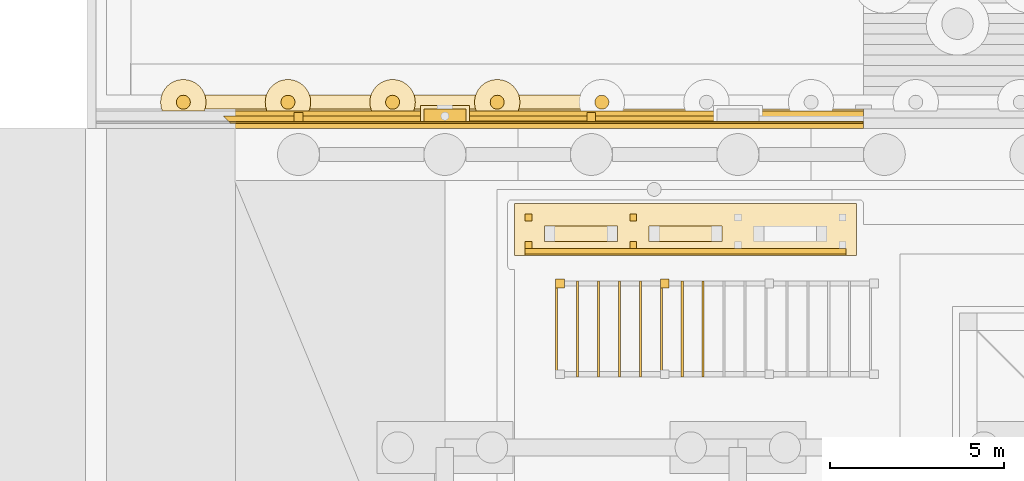
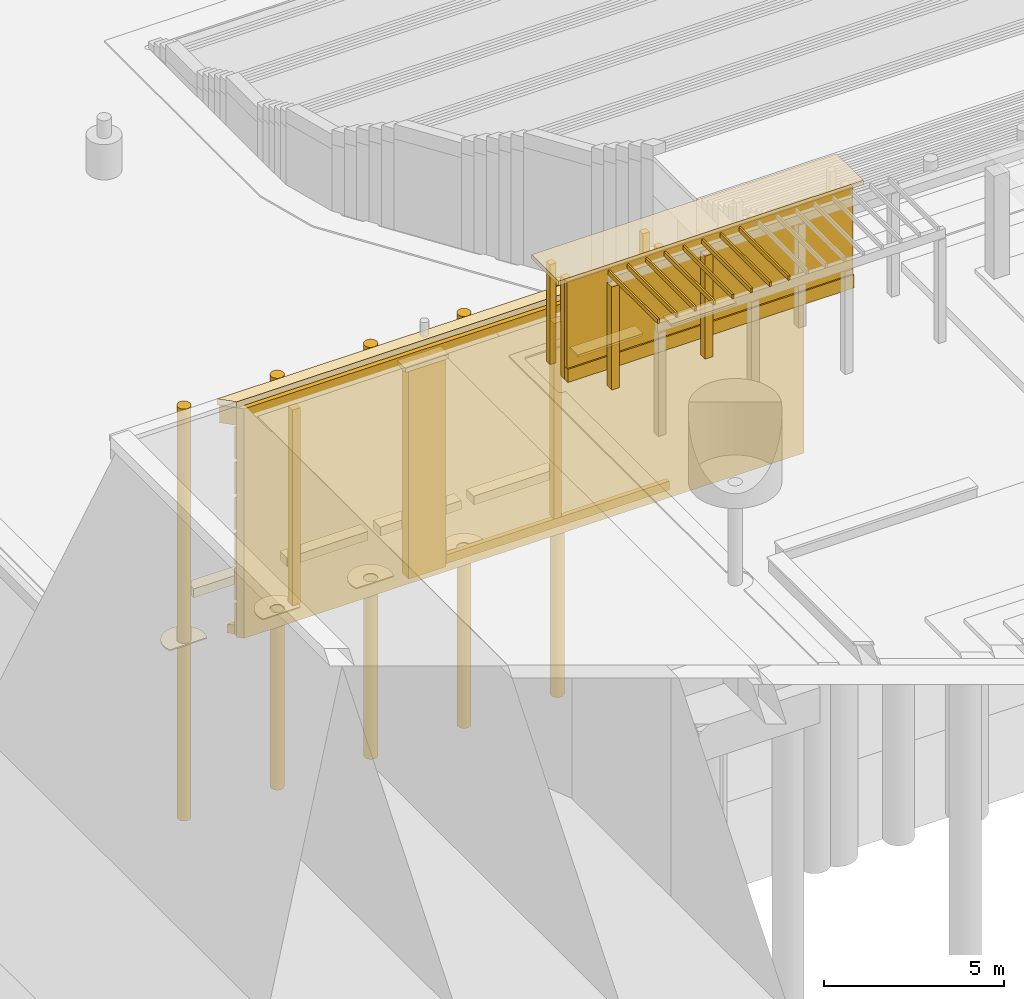
# One storey, part 174 of 222: 47 coverings.
"""IFC4 building model written with IfcOpenShell, lengths in metres."""

from ifc_helpers import new_model, si_unit, direction, frame, origin, origin_2d, place, context, subcontext, project, spatial, polyline, circle, outline, extrude, material, layer, layer_set, type_object, element, save


model = new_model("IFC4")

# Units and contexts
model_context = context("Model", 3, precision=1e-05, world=origin(), true_north=direction((0.0, 1.0)))
body_context = subcontext(model_context, "Body", "Model", "MODEL_VIEW")
ifc_project = project(units=[si_unit("LENGTHUNIT", "METRE"), si_unit("AREAUNIT", "SQUARE_METRE"), si_unit("VOLUMEUNIT", "CUBIC_METRE"), si_unit("PLANEANGLEUNIT", "RADIAN"), si_unit("MASSUNIT", "GRAM", prefix="KILO")], contexts=[model_context])

# Site, building, storey
site_placement = place(None, origin())
site = spatial("IfcSite", under=ifc_project, at=site_placement, CompositionType="ELEMENT")
building_placement = place(site_placement, origin())
building = spatial("IfcBuilding", under=site, at=building_placement, Name="Sava Quay Ferry Terminal", CompositionType="ELEMENT")
storey_placement = place(building_placement, origin())
storey = spatial("IfcBuildingStorey", under=building, at=storey_placement, Name="L00", CompositionType="ELEMENT", Elevation=0.0)

# Coverings
ifc_material_1 = material(Name="Glulam GL28h", Category="wood")
ifc_layer_1 = layer(ifc_material_1, 0.449951171875)
ifc_layer_set_1 = layer_set([ifc_layer_1], Name="Glulam GL28h")
covering_type_1 = type_object("IfcCoveringType", Name="Bench seat 450", PredefinedType="CLADDING", material=ifc_layer_set_1)
covering_1_placement = place(storey_placement, frame((0.0, 0.0, 0.419921875)))
element("IfcCovering", 1, at=covering_1_placement, inside=storey, type_object=covering_type_1, Name="Bench seat", PredefinedType="CLADDING", context=body_context, shape_type="SweptSolid", body=[
    extrude(outline(polyline([(4.949951171875, 115.10009765625), (4.949951171875, 115.550048828125), (2.85009765625, 115.550048828125), (2.85009765625, 115.10009765625), (4.949951171875, 115.10009765625)])), origin(), (0.0, 0.0, 1.0), 0.080078125),
])
covering_2_placement = place(storey_placement, frame((0.0, 0.0, 0.419921875)))
element("IfcCovering", 2, at=covering_2_placement, inside=storey, type_object=covering_type_1, Name="Bench seat", PredefinedType="CLADDING", context=body_context, shape_type="SweptSolid", body=[
    extrude(outline(polyline([(7.949951171875, 115.10009765625), (7.949951171875, 115.550048828125), (5.85009765625, 115.550048828125), (5.85009765625, 115.10009765625), (7.949951171875, 115.10009765625)])), origin(), (0.0, 0.0, 1.0), 0.080078125),
])
ifc_material_2 = material(Name="Greenheart timber", Category="wood")
ifc_layer_2 = layer(ifc_material_2, 0.25)
ifc_layer_set_2 = layer_set([ifc_layer_2], Name="Greenheart timber")
covering_type_2 = type_object("IfcCoveringType", Name="Fender post 250", PredefinedType="CLADDING", material=ifc_layer_set_2)
covering_3_placement = place(storey_placement, frame((0.0, 0.0, -7.60009765625)))
element("IfcCovering", 3, at=covering_3_placement, inside=storey, type_object=covering_type_2, Name="Fender post", PredefinedType="CLADDING", context=body_context, shape_type="SweptSolid", body=[
    extrude(outline(polyline([(-4.074951171875, 118.550048828125), (-4.074951171875, 118.800048828125), (-4.324951171875, 118.800048828125), (-4.324951171875, 118.550048828125), (-4.074951171875, 118.550048828125)])), origin(), (0.0, 0.0, 1.0), 6.650146484375),
])
covering_4_placement = place(storey_placement, frame((0.0, 0.0, -7.60009765625)))
element("IfcCovering", 4, at=covering_4_placement, inside=storey, type_object=covering_type_2, Name="Fender post", PredefinedType="CLADDING", context=body_context, shape_type="SweptSolid", body=[
    extrude(outline(polyline([(4.324951171875, 118.550048828125), (4.324951171875, 118.800048828125), (4.074951171875, 118.800048828125), (4.074951171875, 118.550048828125), (4.324951171875, 118.550048828125)])), origin(), (0.0, 0.0, 1.0), 6.650146484375),
])
ifc_material_3 = material(Name="Greenheart timber", Category="wood")
ifc_layer_3 = layer(ifc_material_3, 0.14990234375)
ifc_layer_set_3 = layer_set([ifc_layer_3], Name="Greenheart timber")
covering_type_3 = type_object("IfcCoveringType", Name="Fender rubbing strip 150", PredefinedType="CLADDING", material=ifc_layer_set_3)
covering_5_placement = place(storey_placement, frame((0.0, 0.0, -7.89990234375)))
element("IfcCovering", 5, at=covering_5_placement, inside=storey, type_object=covering_type_3, Name="Fender rubbing strip", PredefinedType="CLADDING", context=body_context, shape_type="SweptSolid", body=[
    extrude(outline(polyline([(0.610107421875, 118.550048828125), (7.7900390625, 118.550048828125), (7.7900390625, 118.699951171875), (0.610107421875, 118.699951171875), (0.610107421875, 118.550048828125)])), origin(), (0.0, 0.0, 1.0), 0.2998046875),
])
covering_6_placement = place(storey_placement, frame((0.0, 0.0, -7.89990234375)))
element("IfcCovering", 6, at=covering_6_placement, inside=storey, type_object=covering_type_3, Name="Fender rubbing strip", PredefinedType="CLADDING", context=body_context, shape_type="SweptSolid", body=[
    extrude(outline(polyline([(-6.199951171875, 118.550048828125), (-0.610107421875, 118.550048828125), (-0.610107421875, 118.699951171875), (-6.35009765625, 118.699951171875), (-6.199951171875, 118.550048828125)])), origin(), (0.0, 0.0, 1.0), 0.2998046875),
])
ifc_material_4 = material(Name="Steel S355", Category="steel")
ifc_layer_4 = layer(ifc_material_4, 0.25)
ifc_layer_set_4 = layer_set([ifc_layer_4], Name="Steel S355")
covering_type_4 = type_object("IfcCoveringType", Name="Promenade pergola post 250", PredefinedType="CLADDING", material=ifc_layer_set_4)
covering_7_placement = place(storey_placement, origin())
element("IfcCovering", 7, at=covering_7_placement, inside=storey, type_object=covering_type_4, Name="Promenade pergola post", PredefinedType="CLADDING", context=body_context, shape_type="SweptSolid", body=[
    extrude(outline(polyline([(3.425048828125, 113.77490234375), (3.425048828125, 114.02490234375), (3.175048828125, 114.02490234375), (3.175048828125, 113.77490234375), (3.425048828125, 113.77490234375)])), origin(), (0.0, 0.0, 1.0), 3.5),
])
covering_8_placement = place(storey_placement, origin())
element("IfcCovering", 8, at=covering_8_placement, inside=storey, type_object=covering_type_4, Name="Promenade pergola post", PredefinedType="CLADDING", context=body_context, shape_type="SweptSolid", body=[
    extrude(outline(polyline([(6.425048828125, 113.77490234375), (6.425048828125, 114.02490234375), (6.175048828125, 114.02490234375), (6.175048828125, 113.77490234375), (6.425048828125, 113.77490234375)])), origin(), (0.0, 0.0, 1.0), 3.5),
])
ifc_material_5 = material(Name="Glulam GL28h", Category="wood")
ifc_layer_5 = layer(ifc_material_5, 0.06005859375)
ifc_layer_set_5 = layer_set([ifc_layer_5], Name="Glulam GL28h")
covering_type_5 = type_object("IfcCoveringType", Name="Promenade pergola rafter 60x150", PredefinedType="CLADDING", material=ifc_layer_set_5)
covering_9_placement = place(storey_placement, frame((0.0, 0.0, 3.800048828125)))
element("IfcCovering", 9, at=covering_9_placement, inside=storey, type_object=covering_type_5, Name="Promenade pergola rafter", PredefinedType="CLADDING", context=body_context, shape_type="SweptSolid", body=[
    extrude(outline(polyline([(3.235107421875, 111.22509765625), (3.235107421875, 113.97509765625), (3.175048828125, 113.97509765625), (3.175048828125, 111.22509765625), (3.235107421875, 111.22509765625)])), origin(), (0.0, 0.0, 1.0), 0.14990234375),
])
covering_10_placement = place(storey_placement, frame((0.0, 0.0, 3.800048828125)))
element("IfcCovering", 10, at=covering_10_placement, inside=storey, type_object=covering_type_5, Name="Promenade pergola rafter", PredefinedType="CLADDING", context=body_context, shape_type="SweptSolid", body=[
    extrude(outline(polyline([(3.8349609375, 111.22509765625), (3.8349609375, 113.97509765625), (3.77490234375, 113.97509765625), (3.77490234375, 111.22509765625), (3.8349609375, 111.22509765625)])), origin(), (0.0, 0.0, 1.0), 0.14990234375),
])
covering_11_placement = place(storey_placement, frame((0.0, 0.0, 3.800048828125)))
element("IfcCovering", 11, at=covering_11_placement, inside=storey, type_object=covering_type_5, Name="Promenade pergola rafter", PredefinedType="CLADDING", context=body_context, shape_type="SweptSolid", body=[
    extrude(outline(polyline([(4.43505859375, 111.22509765625), (4.43505859375, 113.97509765625), (4.375, 113.97509765625), (4.375, 111.22509765625), (4.43505859375, 111.22509765625)])), origin(), (0.0, 0.0, 1.0), 0.14990234375),
])
covering_12_placement = place(storey_placement, frame((0.0, 0.0, 3.800048828125)))
element("IfcCovering", 12, at=covering_12_placement, inside=storey, type_object=covering_type_5, Name="Promenade pergola rafter", PredefinedType="CLADDING", context=body_context, shape_type="SweptSolid", body=[
    extrude(outline(polyline([(5.034912109375, 111.22509765625), (5.034912109375, 113.97509765625), (4.97509765625, 113.97509765625), (4.97509765625, 111.22509765625), (5.034912109375, 111.22509765625)])), origin(), (0.0, 0.0, 1.0), 0.14990234375),
])
covering_13_placement = place(storey_placement, frame((0.0, 0.0, 3.800048828125)))
element("IfcCovering", 13, at=covering_13_placement, inside=storey, type_object=covering_type_5, Name="Promenade pergola rafter", PredefinedType="CLADDING", context=body_context, shape_type="SweptSolid", body=[
    extrude(outline(polyline([(5.635009765625, 111.22509765625), (5.635009765625, 113.97509765625), (5.574951171875, 113.97509765625), (5.574951171875, 111.22509765625), (5.635009765625, 111.22509765625)])), origin(), (0.0, 0.0, 1.0), 0.14990234375),
])
covering_14_placement = place(storey_placement, frame((0.0, 0.0, 3.800048828125)))
element("IfcCovering", 14, at=covering_14_placement, inside=storey, type_object=covering_type_5, Name="Promenade pergola rafter", PredefinedType="CLADDING", context=body_context, shape_type="SweptSolid", body=[
    extrude(outline(polyline([(6.235107421875, 111.22509765625), (6.235107421875, 113.97509765625), (6.175048828125, 113.97509765625), (6.175048828125, 111.22509765625), (6.235107421875, 111.22509765625)])), origin(), (0.0, 0.0, 1.0), 0.14990234375),
])
covering_15_placement = place(storey_placement, frame((0.0, 0.0, 3.800048828125)))
element("IfcCovering", 15, at=covering_15_placement, inside=storey, type_object=covering_type_5, Name="Promenade pergola rafter", PredefinedType="CLADDING", context=body_context, shape_type="SweptSolid", body=[
    extrude(outline(polyline([(6.8349609375, 111.22509765625), (6.8349609375, 113.97509765625), (6.77490234375, 113.97509765625), (6.77490234375, 111.22509765625), (6.8349609375, 111.22509765625)])), origin(), (0.0, 0.0, 1.0), 0.14990234375),
])
covering_16_placement = place(storey_placement, frame((0.0, 0.0, 3.800048828125)))
element("IfcCovering", 16, at=covering_16_placement, inside=storey, type_object=covering_type_5, Name="Promenade pergola rafter", PredefinedType="CLADDING", context=body_context, shape_type="SweptSolid", body=[
    extrude(outline(polyline([(7.43505859375, 111.22509765625), (7.43505859375, 113.97509765625), (7.375, 113.97509765625), (7.375, 111.22509765625), (7.43505859375, 111.22509765625)])), origin(), (0.0, 0.0, 1.0), 0.14990234375),
])
ifc_material_6 = material(Name="Timber", Category="wood")
ifc_layer_6 = layer(ifc_material_6, 0.39990234375)
ifc_layer_set_6 = layer_set([ifc_layer_6], Name="Timber")
covering_type_6 = type_object("IfcCoveringType", Name="Quay fender pile 400", PredefinedType="CLADDING", material=ifc_layer_set_6)
for number, where, z_axis, x_axis, name in (
    (17, (-7.5, 119.10009765625, 0.0), (0.0, 0.0, -1.0), (1.0, 0.0, 0.0), "Quay fender pile"),
    (18, (-4.5, 119.10009765625, 0.0), (0.0, 0.0, -1.0), (1.0, 0.0, 0.0), "Quay fender pile"),
    (19, (-1.5, 119.10009765625, 0.0), (0.0, 0.0, -1.0), (1.0, 0.0, 0.0), "Quay fender pile"),
    (20, (1.5, 119.10009765625, 0.0), (0.0, 0.0, -1.0), (1.0, 0.0, 0.0), "Quay fender pile"),
    (21, (4.5, 119.10009765625, 0.0), (0.0, 0.0, -1.0), (1.0, 0.0, 0.0), "Quay fender pile"),
):
    element("IfcCovering", number, at=place(storey_placement, frame(where, z_axis=z_axis, x_axis=x_axis)), inside=storey, type_object=covering_type_6, Name=name, PredefinedType="CLADDING", context=body_context, shape_type="SweptSolid", body=[
        extrude(circle(Radius=0.199951171875, at=origin_2d()), origin(), (0.0, 0.0, 1.0), 14.0),
    ])
ifc_material_7 = material(Name="Timber", Category="wood")
ifc_layer_7 = layer(ifc_material_7, 0.39990234375)
ifc_layer_set_7 = layer_set([ifc_layer_7], Name="Timber")
covering_type_7 = type_object("IfcCoveringType", Name="Quay fender waling", PredefinedType="MOLDING", material=ifc_layer_set_7)
covering_17_placement = place(storey_placement, frame((0.0, 0.0, -6.5)))
element("IfcCovering", 22, at=covering_17_placement, inside=storey, type_object=covering_type_7, Name="Quay fender waling", PredefinedType="MOLDING", context=body_context, shape_type="SweptSolid", body=[
    extrude(outline(polyline([(-4.699951171875, 118.89990234375), (-4.699951171875, 119.300048828125), (-7.300048828125, 119.300048828125), (-7.300048828125, 118.89990234375), (-4.699951171875, 118.89990234375)])), origin(), (0.0, 0.0, 1.0), 0.300048828125),
])
covering_18_placement = place(storey_placement, frame((0.0, 0.0, -6.5)))
element("IfcCovering", 23, at=covering_18_placement, inside=storey, type_object=covering_type_7, Name="Quay fender waling", PredefinedType="MOLDING", context=body_context, shape_type="SweptSolid", body=[
    extrude(outline(polyline([(-1.699951171875, 118.89990234375), (-1.699951171875, 119.300048828125), (-4.300048828125, 119.300048828125), (-4.300048828125, 118.89990234375), (-1.699951171875, 118.89990234375)])), origin(), (0.0, 0.0, 1.0), 0.300048828125),
])
covering_19_placement = place(storey_placement, frame((0.0, 0.0, -6.5)))
element("IfcCovering", 24, at=covering_19_placement, inside=storey, type_object=covering_type_7, Name="Quay fender waling", PredefinedType="MOLDING", context=body_context, shape_type="SweptSolid", body=[
    extrude(outline(polyline([(1.300048828125, 118.89990234375), (1.300048828125, 119.300048828125), (-1.300048828125, 119.300048828125), (-1.300048828125, 118.89990234375), (1.300048828125, 118.89990234375)])), origin(), (0.0, 0.0, 1.0), 0.300048828125),
])
covering_20_placement = place(storey_placement, frame((0.0, 0.0, -6.5)))
element("IfcCovering", 25, at=covering_20_placement, inside=storey, type_object=covering_type_7, Name="Quay fender waling", PredefinedType="MOLDING", context=body_context, shape_type="SweptSolid", body=[
    extrude(outline(polyline([(4.300048828125, 118.89990234375), (4.300048828125, 119.300048828125), (1.699951171875, 119.300048828125), (1.699951171875, 118.89990234375), (4.300048828125, 118.89990234375)])), origin(), (0.0, 0.0, 1.0), 0.300048828125),
])
ifc_material_8 = material(Name="Limestone Mutalj", Category="masonry")
ifc_layer_8 = layer(ifc_material_8, 0.449951171875)
ifc_layer_set_8 = layer_set([ifc_layer_8], Name="Limestone Mutalj")
covering_type_8 = type_object("IfcCoveringType", Name="Quay pilaster cap 1400", PredefinedType="MOLDING", material=ifc_layer_set_8)
covering_21_placement = place(storey_placement, frame((0.0, 0.0, -0.949951171875)))
element("IfcCovering", 26, at=covering_21_placement, inside=storey, type_object=covering_type_8, Name="Quay pilaster cap", PredefinedType="MOLDING", context=body_context, shape_type="SweptSolid", body=[
    extrude(outline(polyline([(0.699951171875, 118.550048828125), (0.699951171875, 119.0), (-0.699951171875, 119.0), (-0.699951171875, 118.550048828125), (0.699951171875, 118.550048828125)])), origin(), (0.0, 0.0, 1.0), 0.14990234375),
])
ifc_material_9 = material(Name="Limestone Mutalj", Category="masonry")
ifc_layer_9 = layer(ifc_material_9, 0.39990234375)
ifc_layer_set_9 = layer_set([ifc_layer_9], Name="Limestone Mutalj")
covering_type_9 = type_object("IfcCoveringType", Name="Quay wall coping 400", PredefinedType="MOLDING", material=ifc_layer_set_9)
covering_22_placement = place(storey_placement, frame((0.0, 0.0, -0.199951171875)))
element("IfcCovering", 27, at=covering_22_placement, inside=storey, type_object=covering_type_9, Name="Quay wall coping", PredefinedType="MOLDING", context=body_context, shape_type="SweptSolid", body=[
    extrude(outline(polyline([(12.0, 118.89990234375), (-6.550048828125, 118.89990234375), (-6.14990234375, 118.5), (12.0, 118.5), (12.0, 118.89990234375)])), origin(), (0.0, 0.0, 1.0), 0.199951171875),
])
ifc_material_10 = material(Name="Limestone Mutalj", Category="masonry")
ifc_layer_10 = layer(ifc_material_10, 0.35009765625)
ifc_layer_set_10 = layer_set([ifc_layer_10], Name="Limestone Mutalj")
covering_type_10 = type_object("IfcCoveringType", Name="Quay wall cornice 350", PredefinedType="MOLDING", material=ifc_layer_set_10)
covering_23_placement = place(storey_placement, frame((0.0, 0.0, -0.800048828125)))
element("IfcCovering", 28, at=covering_23_placement, inside=storey, type_object=covering_type_10, Name="Quay wall cornice", PredefinedType="MOLDING", context=body_context, shape_type="SweptSolid", body=[
    extrude(outline(polyline([(12.0, 118.85009765625), (-6.5, 118.85009765625), (-6.14990234375, 118.5), (12.0, 118.5), (12.0, 118.85009765625)])), origin(), (0.0, 0.0, 1.0), 0.60009765625),
])
ifc_material_11 = material(Name="Limestone Mutalj", Category="masonry")
ifc_layer_11 = layer(ifc_material_11, 0.14990234375)
ifc_layer_set_11 = layer_set([ifc_layer_11], Name="Limestone Mutalj")
covering_type_11 = type_object("IfcCoveringType", Name="Quay wall facing 150", PredefinedType="CLADDING", material=ifc_layer_set_11)
covering_24_placement = place(storey_placement, frame((0.0, 0.0, -8.0)))
element("IfcCovering", 29, at=covering_24_placement, inside=storey, type_object=covering_type_11, Name="Quay wall facing", PredefinedType="CLADDING", context=body_context, shape_type="SweptSolid", body=[
    extrude(outline(polyline([(-6.14990234375, 118.5), (-6.0, 118.35009765625), (12.0, 118.35009765625), (12.0, 118.5), (-6.14990234375, 118.5)])), origin(), (0.0, 0.0, 1.0), 7.800048828125),
])
ifc_material_12 = material(Name="Limestone Mutalj", Category="masonry")
ifc_layer_12 = layer(ifc_material_12, 0.35009765625)
ifc_layer_set_12 = layer_set([ifc_layer_12], Name="Limestone Mutalj")
covering_type_12 = type_object("IfcCoveringType", Name="Quay wall pilaster 1200", PredefinedType="CLADDING", material=ifc_layer_set_12)
covering_25_placement = place(storey_placement, frame((0.0, 0.0, -8.0)))
element("IfcCovering", 30, at=covering_25_placement, inside=storey, type_object=covering_type_12, Name="Quay wall pilaster", PredefinedType="CLADDING", context=body_context, shape_type="SweptSolid", body=[
    extrude(outline(polyline([(0.60009765625, 118.550048828125), (0.60009765625, 118.89990234375), (-0.60009765625, 118.89990234375), (-0.60009765625, 118.550048828125), (0.60009765625, 118.550048828125)])), origin(), (0.0, 0.0, 1.0), 7.050048828125),
])
ifc_material_13 = material(Name="Water")
ifc_layer_13 = layer(ifc_material_13, 0.0400390625)
ifc_layer_set_13 = layer_set([ifc_layer_13], Name="Water")
covering_type_13 = type_object("IfcCoveringType", Name="River foam collar", PredefinedType="CLADDING", material=ifc_layer_set_13)
covering_26_placement = place(storey_placement, frame((0.0, 0.0, -8.0)))
element("IfcCovering", 31, at=covering_26_placement, inside=storey, type_object=covering_type_13, Name="River foam collar", PredefinedType="CLADDING", context=body_context, shape_type="SweptSolid", body=[
    extrude(outline(polyline([(-6.847900390625, 119.10009765625), (-6.860107421875, 119.22705078125), (-6.89697265625, 119.35009765625), (-6.9580078125, 119.4619140625), (-7.0390625, 119.56103515625), (-7.137939453125, 119.64208984375), (-7.25, 119.702880859375), (-7.373046875, 119.739990234375), (-7.5, 119.751953125), (-7.626953125, 119.739990234375), (-7.75, 119.702880859375), (-7.862060546875, 119.64208984375), (-7.9609375, 119.56103515625), (-8.0419921875, 119.4619140625), (-8.10302734375, 119.35009765625), (-8.139892578125, 119.22705078125), (-8.152099609375, 119.10009765625), (-8.139892578125, 118.972900390625), (-8.10205078125, 118.85009765625), (-6.89794921875, 118.85009765625), (-6.860107421875, 118.972900390625), (-6.847900390625, 119.10009765625)]), holes=[polyline([(-7.35888671875, 118.958984375), (-7.388916015625, 118.93408203125), (-7.423095703125, 118.9150390625), (-7.4609375, 118.904052734375), (-7.5, 118.89990234375), (-7.5390625, 118.904052734375), (-7.576904296875, 118.9150390625), (-7.611083984375, 118.93408203125), (-7.64111328125, 118.958984375), (-7.666015625, 118.989013671875), (-7.68505859375, 119.02294921875), (-7.696044921875, 119.06103515625), (-7.699951171875, 119.10009765625), (-7.696044921875, 119.138916015625), (-7.68505859375, 119.177001953125), (-7.666015625, 119.2109375), (-7.64111328125, 119.240966796875), (-7.611083984375, 119.26611328125), (-7.576904296875, 119.284912109375), (-7.5390625, 119.2958984375), (-7.5, 119.300048828125), (-7.4609375, 119.2958984375), (-7.423095703125, 119.284912109375), (-7.388916015625, 119.26611328125), (-7.35888671875, 119.240966796875), (-7.333984375, 119.2109375), (-7.31494140625, 119.177001953125), (-7.303955078125, 119.138916015625), (-7.300048828125, 119.10009765625), (-7.303955078125, 119.06103515625), (-7.31494140625, 119.02294921875), (-7.333984375, 118.989013671875), (-7.35888671875, 118.958984375)])]), origin(), (0.0, 0.0, 1.0), 0.0400390625),
])
covering_27_placement = place(storey_placement, frame((0.0, 0.0, -8.0)))
element("IfcCovering", 32, at=covering_27_placement, inside=storey, type_object=covering_type_13, Name="River foam collar", PredefinedType="CLADDING", context=body_context, shape_type="SweptSolid", body=[
    extrude(outline(polyline([(-3.860107421875, 118.972900390625), (-3.847900390625, 119.10009765625), (-3.860107421875, 119.22705078125), (-3.89697265625, 119.35009765625), (-3.9580078125, 119.4619140625), (-4.0390625, 119.56103515625), (-4.137939453125, 119.64208984375), (-4.25, 119.702880859375), (-4.373046875, 119.739990234375), (-4.5, 119.751953125), (-4.626953125, 119.739990234375), (-4.75, 119.702880859375), (-4.862060546875, 119.64208984375), (-4.9609375, 119.56103515625), (-5.0419921875, 119.4619140625), (-5.10302734375, 119.35009765625), (-5.139892578125, 119.22705078125), (-5.152099609375, 119.10009765625), (-5.139892578125, 118.972900390625), (-5.10205078125, 118.85009765625), (-3.89794921875, 118.85009765625), (-3.860107421875, 118.972900390625)]), holes=[polyline([(-4.333984375, 118.989013671875), (-4.35888671875, 118.958984375), (-4.388916015625, 118.93408203125), (-4.423095703125, 118.9150390625), (-4.4609375, 118.904052734375), (-4.5, 118.89990234375), (-4.5390625, 118.904052734375), (-4.576904296875, 118.9150390625), (-4.611083984375, 118.93408203125), (-4.64111328125, 118.958984375), (-4.666015625, 118.989013671875), (-4.68505859375, 119.02294921875), (-4.696044921875, 119.06103515625), (-4.699951171875, 119.10009765625), (-4.696044921875, 119.138916015625), (-4.68505859375, 119.177001953125), (-4.666015625, 119.2109375), (-4.64111328125, 119.240966796875), (-4.611083984375, 119.26611328125), (-4.576904296875, 119.284912109375), (-4.5390625, 119.2958984375), (-4.5, 119.300048828125), (-4.4609375, 119.2958984375), (-4.423095703125, 119.284912109375), (-4.388916015625, 119.26611328125), (-4.35888671875, 119.240966796875), (-4.333984375, 119.2109375), (-4.31494140625, 119.177001953125), (-4.303955078125, 119.138916015625), (-4.300048828125, 119.10009765625), (-4.303955078125, 119.06103515625), (-4.31494140625, 119.02294921875), (-4.333984375, 118.989013671875)])]), origin(), (0.0, 0.0, 1.0), 0.0400390625),
])
covering_28_placement = place(storey_placement, frame((0.0, 0.0, -8.0)))
element("IfcCovering", 33, at=covering_28_placement, inside=storey, type_object=covering_type_13, Name="River foam collar", PredefinedType="CLADDING", context=body_context, shape_type="SweptSolid", body=[
    extrude(outline(polyline([(-0.89697265625, 118.85009765625), (-0.860107421875, 118.972900390625), (-0.847900390625, 119.10009765625), (-0.860107421875, 119.22705078125), (-0.89697265625, 119.35009765625), (-0.9580078125, 119.4619140625), (-1.0390625, 119.56103515625), (-1.137939453125, 119.64208984375), (-1.25, 119.702880859375), (-1.373046875, 119.739990234375), (-1.5, 119.751953125), (-1.626953125, 119.739990234375), (-1.75, 119.702880859375), (-1.862060546875, 119.64208984375), (-1.9609375, 119.56103515625), (-2.0419921875, 119.4619140625), (-2.10302734375, 119.35009765625), (-2.139892578125, 119.22705078125), (-2.152099609375, 119.10009765625), (-2.139892578125, 118.972900390625), (-2.10205078125, 118.85009765625), (-0.89697265625, 118.85009765625)]), holes=[polyline([(-1.31494140625, 119.02294921875), (-1.333984375, 118.989013671875), (-1.35888671875, 118.958984375), (-1.388916015625, 118.93408203125), (-1.423095703125, 118.9150390625), (-1.4609375, 118.904052734375), (-1.5, 118.89990234375), (-1.5390625, 118.904052734375), (-1.576904296875, 118.9150390625), (-1.611083984375, 118.93408203125), (-1.64111328125, 118.958984375), (-1.666015625, 118.989013671875), (-1.68505859375, 119.02294921875), (-1.696044921875, 119.06103515625), (-1.699951171875, 119.10009765625), (-1.696044921875, 119.138916015625), (-1.68505859375, 119.177001953125), (-1.666015625, 119.2109375), (-1.64111328125, 119.240966796875), (-1.611083984375, 119.26611328125), (-1.576904296875, 119.284912109375), (-1.5390625, 119.2958984375), (-1.5, 119.300048828125), (-1.4609375, 119.2958984375), (-1.423095703125, 119.284912109375), (-1.388916015625, 119.26611328125), (-1.35888671875, 119.240966796875), (-1.333984375, 119.2109375), (-1.31494140625, 119.177001953125), (-1.303955078125, 119.138916015625), (-1.300048828125, 119.10009765625), (-1.303955078125, 119.06103515625), (-1.31494140625, 119.02294921875)])]), origin(), (0.0, 0.0, 1.0), 0.0400390625),
])
covering_29_placement = place(storey_placement, frame((0.0, 0.0, -8.0)))
element("IfcCovering", 34, at=covering_29_placement, inside=storey, type_object=covering_type_13, Name="River foam collar", PredefinedType="CLADDING", context=body_context, shape_type="SweptSolid", body=[
    extrude(outline(polyline([(2.10205078125, 118.85009765625), (2.139892578125, 118.972900390625), (2.152099609375, 119.10009765625), (2.139892578125, 119.22705078125), (2.10302734375, 119.35009765625), (2.0419921875, 119.4619140625), (1.9609375, 119.56103515625), (1.862060546875, 119.64208984375), (1.75, 119.702880859375), (1.626953125, 119.739990234375), (1.5, 119.751953125), (1.373046875, 119.739990234375), (1.25, 119.702880859375), (1.137939453125, 119.64208984375), (1.0390625, 119.56103515625), (0.9580078125, 119.4619140625), (0.89697265625, 119.35009765625), (0.860107421875, 119.22705078125), (0.847900390625, 119.10009765625), (0.860107421875, 118.972900390625), (0.89794921875, 118.85009765625), (2.10205078125, 118.85009765625)]), holes=[polyline([(1.696044921875, 119.06103515625), (1.68505859375, 119.02294921875), (1.666015625, 118.989013671875), (1.64111328125, 118.958984375), (1.611083984375, 118.93408203125), (1.576904296875, 118.9150390625), (1.5390625, 118.904052734375), (1.5, 118.89990234375), (1.4609375, 118.904052734375), (1.423095703125, 118.9150390625), (1.388916015625, 118.93408203125), (1.35888671875, 118.958984375), (1.333984375, 118.989013671875), (1.31494140625, 119.02294921875), (1.303955078125, 119.06103515625), (1.300048828125, 119.10009765625), (1.303955078125, 119.138916015625), (1.31494140625, 119.177001953125), (1.333984375, 119.2109375), (1.35888671875, 119.240966796875), (1.388916015625, 119.26611328125), (1.423095703125, 119.284912109375), (1.4609375, 119.2958984375), (1.5, 119.300048828125), (1.5390625, 119.2958984375), (1.576904296875, 119.284912109375), (1.611083984375, 119.26611328125), (1.64111328125, 119.240966796875), (1.666015625, 119.2109375), (1.68505859375, 119.177001953125), (1.696044921875, 119.138916015625), (1.699951171875, 119.10009765625), (1.696044921875, 119.06103515625)])]), origin(), (0.0, 0.0, 1.0), 0.0400390625),
])
ifc_material_14 = material(Name="Limestone Mutalj", Category="masonry")
ifc_layer_14 = layer(ifc_material_14, 0.050048828125)
ifc_layer_set_14 = layer_set([ifc_layer_14], Name="Limestone Mutalj")
covering_type_14 = type_object("IfcCoveringType", Name="Rustication course 250", PredefinedType="MOLDING", material=ifc_layer_set_14)
covering_30_placement = place(storey_placement, frame((0.0, 0.0, -7.93994140625)))
element("IfcCovering", 35, at=covering_30_placement, inside=storey, type_object=covering_type_14, Name="Rustication course", PredefinedType="MOLDING", context=body_context, shape_type="SweptSolid", body=[
    extrude(outline(polyline([(12.0, 118.550048828125), (-6.199951171875, 118.550048828125), (-6.14990234375, 118.5), (12.0, 118.5), (12.0, 118.550048828125)])), origin(), (0.0, 0.0, 1.0), 1.079833984375),
])
for number, where, name in (
    (36, (0.0, 0.0, -6.739990234375), "Rustication course"),
    (37, (0.0, 0.0, -5.5400390625), "Rustication course"),
    (38, (0.0, 0.0, -4.340087890625), "Rustication course"),
):
    element("IfcCovering", number, at=place(storey_placement, frame(where)), inside=storey, type_object=covering_type_14, Name=name, PredefinedType="MOLDING", context=body_context, shape_type="SweptSolid", body=[
        extrude(outline(polyline([(12.0, 118.550048828125), (-6.199951171875, 118.550048828125), (-6.14990234375, 118.5), (12.0, 118.5), (12.0, 118.550048828125)])), origin(), (0.0, 0.0, 1.0), 1.080078125),
    ])
for number, where, name in (
    (39, (0.0, 0.0, -3.139892578125), "Rustication course"),
    (40, (0.0, 0.0, -1.93994140625), "Rustication course"),
):
    element("IfcCovering", number, at=place(storey_placement, frame(where)), inside=storey, type_object=covering_type_14, Name=name, PredefinedType="MOLDING", context=body_context, shape_type="SweptSolid", body=[
        extrude(outline(polyline([(12.0, 118.550048828125), (-6.199951171875, 118.550048828125), (-6.14990234375, 118.5), (12.0, 118.5), (12.0, 118.550048828125)])), origin(), (0.0, 0.0, 1.0), 1.079833984375),
    ])
ifc_material_15 = material(Name="Steel S355", Category="steel")
ifc_layer_15 = layer(ifc_material_15, 0.199951171875)
ifc_layer_set_15 = layer_set([ifc_layer_15], Name="Steel S355")
covering_type_15 = type_object("IfcCoveringType", Name="Waiting shelter column 200", PredefinedType="CLADDING", material=ifc_layer_set_15)
covering_31_placement = place(storey_placement, origin())
element("IfcCovering", 41, at=covering_31_placement, inside=storey, type_object=covering_type_15, Name="Waiting shelter column", PredefinedType="CLADDING", context=body_context, shape_type="SweptSolid", body=[
    extrude(outline(polyline([(2.5, 114.89990234375), (2.5, 115.10009765625), (2.300048828125, 115.10009765625), (2.300048828125, 114.89990234375), (2.5, 114.89990234375)])), origin(), (0.0, 0.0, 1.0), 3.39990234375),
])
covering_32_placement = place(storey_placement, origin())
element("IfcCovering", 42, at=covering_32_placement, inside=storey, type_object=covering_type_15, Name="Waiting shelter column", PredefinedType="CLADDING", context=body_context, shape_type="SweptSolid", body=[
    extrude(outline(polyline([(2.5, 115.699951171875), (2.5, 115.89990234375), (2.300048828125, 115.89990234375), (2.300048828125, 115.699951171875), (2.5, 115.699951171875)])), origin(), (0.0, 0.0, 1.0), 3.39990234375),
])
covering_33_placement = place(storey_placement, origin())
element("IfcCovering", 43, at=covering_33_placement, inside=storey, type_object=covering_type_15, Name="Waiting shelter column", PredefinedType="CLADDING", context=body_context, shape_type="SweptSolid", body=[
    extrude(outline(polyline([(5.5, 114.89990234375), (5.5, 115.10009765625), (5.300048828125, 115.10009765625), (5.300048828125, 114.89990234375), (5.5, 114.89990234375)])), origin(), (0.0, 0.0, 1.0), 3.39990234375),
])
covering_34_placement = place(storey_placement, origin())
element("IfcCovering", 44, at=covering_34_placement, inside=storey, type_object=covering_type_15, Name="Waiting shelter column", PredefinedType="CLADDING", context=body_context, shape_type="SweptSolid", body=[
    extrude(outline(polyline([(5.5, 115.699951171875), (5.5, 115.89990234375), (5.300048828125, 115.89990234375), (5.300048828125, 115.699951171875), (5.5, 115.699951171875)])), origin(), (0.0, 0.0, 1.0), 3.39990234375),
])
ifc_material_16 = material(Name="Limestone Mutalj", Category="masonry")
ifc_layer_16 = layer(ifc_material_16, 0.199951171875)
ifc_layer_set_16 = layer_set([ifc_layer_16], Name="Limestone Mutalj")
covering_type_16 = type_object("IfcCoveringType", Name="Waiting shelter kerb 200", PredefinedType="MOLDING", material=ifc_layer_set_16)
covering_35_placement = place(storey_placement, origin())
element("IfcCovering", 45, at=covering_35_placement, inside=storey, type_object=covering_type_16, Name="Waiting shelter kerb", PredefinedType="MOLDING", context=body_context, shape_type="SweptSolid", body=[
    extrude(outline(polyline([(11.5, 114.699951171875), (11.5, 114.89990234375), (2.300048828125, 114.89990234375), (2.300048828125, 114.699951171875), (11.5, 114.699951171875)])), origin(), (0.0, 0.0, 1.0), 0.449951171875),
])
ifc_material_17 = material(Name="Zinc standing seam")
ifc_layer_17 = layer(ifc_material_17, 0.14990234375)
ifc_layer_set_17 = layer_set([ifc_layer_17], Name="Zinc standing seam")
covering_type_17 = type_object("IfcCoveringType", Name="Waiting shelter roof plate 150", PredefinedType="ROOFING", material=ifc_layer_set_17)
covering_36_placement = place(storey_placement, frame((0.0, 0.0, 3.39990234375)))
element("IfcCovering", 46, at=covering_36_placement, inside=storey, type_object=covering_type_17, Name="Waiting shelter roof plate", PredefinedType="ROOFING", context=body_context, shape_type="SweptSolid", body=[
    extrude(outline(polyline([(11.800048828125, 114.699951171875), (11.800048828125, 116.199951171875), (2.0, 116.199951171875), (2.0, 114.699951171875), (11.800048828125, 114.699951171875)])), origin(), (0.0, 0.0, 1.0), 0.150146484375),
])
ifc_material_18 = material(Name="Glulam GL28h", Category="wood")
ifc_layer_18 = layer(ifc_material_18, 0.10009765625)
ifc_layer_set_18 = layer_set([ifc_layer_18], Name="Glulam GL28h")
covering_type_18 = type_object("IfcCoveringType", Name="Waiting shelter screen 100", PredefinedType="CLADDING", material=ifc_layer_set_18)
covering_37_placement = place(storey_placement, frame((0.0, 0.0, 0.449951171875)))
element("IfcCovering", 47, at=covering_37_placement, inside=storey, type_object=covering_type_18, Name="Waiting shelter screen", PredefinedType="CLADDING", context=body_context, shape_type="SweptSolid", body=[
    extrude(outline(polyline([(11.5, 114.75), (11.5, 114.89990234375), (2.300048828125, 114.89990234375), (2.300048828125, 114.75), (11.5, 114.75)])), origin(), (0.0, 0.0, 1.0), 2.949951171875),
])

save(model, "model.ifc")
